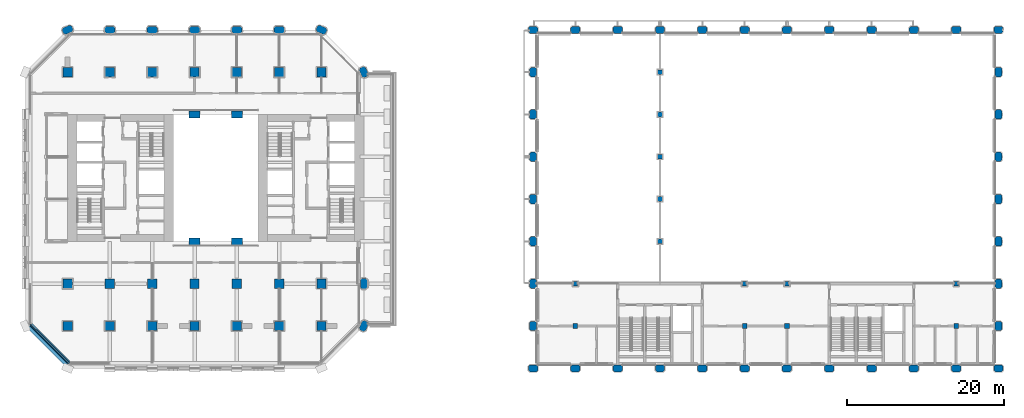
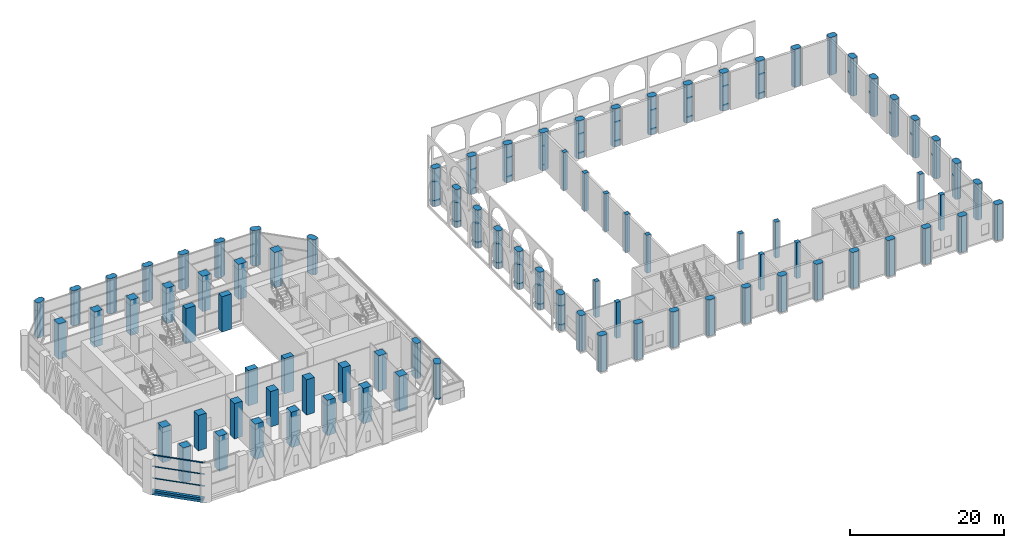
# One storey, part 1 of 34: 86 columns, 4 members, 2 beams, 1 element without a shape of its own.
"""IFC4 building model written with IfcOpenShell, lengths in metres."""

from ifc_helpers import new_model, si_unit, direction, frame, origin, origin_2d, place, context, subcontext, project, spatial, polyline, rectangle, outline, extrude, material, material_profile, profile_set, type_object, element, aggregate, save


model = new_model("IFC4")

# Units and contexts
model_context = context("Model", 3, precision=1e-05, world=origin(), true_north=direction((0.0, 1.0)))
body_context = subcontext(model_context, "Body", "Model", "MODEL_VIEW")
ifc_project = project(units=[si_unit("LENGTHUNIT", "METRE"), si_unit("AREAUNIT", "SQUARE_METRE"), si_unit("VOLUMEUNIT", "CUBIC_METRE"), si_unit("PLANEANGLEUNIT", "RADIAN"), si_unit("MASSUNIT", "GRAM", prefix="KILO")], contexts=[model_context])

# Site, building, storey
site_placement = place(None, origin())
site = spatial("IfcSite", under=ifc_project, at=site_placement, CompositionType="ELEMENT")
building_placement = place(site_placement, origin())
building = spatial("IfcBuilding", under=site, at=building_placement, Name="Tabaq Tower and Sports Hall", CompositionType="ELEMENT")
storey_placement = place(building_placement, frame((0.0, 0.0, 8.39990234375)))
storey = spatial("IfcBuildingStorey", under=building, at=storey_placement, Name="L01", CompositionType="ELEMENT", Elevation=8.39990234375)

# Columns
ifc_material_1 = material(Name="Concrete C50/60", Category="concrete")
ifc_material_profile_1 = material_profile(ifc_material_1, rectangle(XDim=0.60009765625, YDim=0.60009765625, at=origin_2d()), Name="RC 600x600")
ifc_profile_set_1 = profile_set([ifc_material_profile_1], Name="Concrete C50/60")
column_type_1 = type_object("IfcColumnType", Name="HALL COLUMN RC 600x600", PredefinedType="COLUMN", material=ifc_profile_set_1)
for number, where, z_axis, x_axis, name in (
    (1, (70.199951171875, 5.39990234375, 0.0), (0.0, 0.0, 1.0), (1.0, 0.0, 0.0), "Column 14B L01"),
    (2, (70.199951171875, 10.800048828125, 0.0), (0.0, 0.0, 1.0), (1.0, 0.0, 0.0), "Column 14C L01"),
):
    element("IfcColumn", number, at=place(storey_placement, frame(where, z_axis=z_axis, x_axis=x_axis)), inside=storey, type_object=column_type_1, Name=name, PredefinedType="COLUMN", context=body_context, shape_type="SweptSolid", body=[
        extrude(rectangle(XDim=0.60009765625, YDim=0.60009765625, at=origin_2d()), origin(), (0.0, 0.0, 1.0), 5.7001953125),
    ])
for number, where, z_axis, x_axis, name in (
    (3, (81.0, 16.199951171875, 0.0), (0.0, 0.0, 1.0), (1.0, 0.0, 0.0), "Column 16D L01"),
    (4, (81.0, 21.60009765625, 0.0), (0.0, 0.0, 1.0), (1.0, 0.0, 0.0), "Column 16E L01"),
    (5, (81.0, 27.0, 0.0), (0.0, 0.0, 1.0), (1.0, 0.0, 0.0), "Column 16F L01"),
    (6, (81.0, 32.39990234375, 0.0), (0.0, 0.0, 1.0), (1.0, 0.0, 0.0), "Column 16G L01"),
    (7, (81.0, 37.800048828125, 0.0), (0.0, 0.0, 1.0), (1.0, 0.0, 0.0), "Column 16H L01"),
):
    element("IfcColumn", number, at=place(storey_placement, frame(where, z_axis=z_axis, x_axis=x_axis)), inside=storey, type_object=column_type_1, Name=name, PredefinedType="COLUMN", context=body_context, shape_type="SweptSolid", body=[
        extrude(rectangle(XDim=0.60009765625, YDim=0.60009765625, at=origin_2d()), origin(), (0.0, 0.0, 1.0), 6.0),
    ])
for number, where, z_axis, x_axis, name in (
    (8, (91.800048828125, 5.39990234375, 0.0), (0.0, 0.0, 1.0), (1.0, 0.0, 0.0), "Column 18B L01"),
    (9, (91.800048828125, 10.800048828125, 0.0), (0.0, 0.0, 1.0), (1.0, 0.0, 0.0), "Column 18C L01"),
    (10, (97.199951171875, 5.39990234375, 0.0), (0.0, 0.0, 1.0), (1.0, 0.0, 0.0), "Column 19B L01"),
    (11, (97.199951171875, 10.800048828125, 0.0), (0.0, 0.0, 1.0), (1.0, 0.0, 0.0), "Column 19C L01"),
    (12, (118.800048828125, 5.39990234375, 0.0), (0.0, 0.0, 1.0), (1.0, 0.0, 0.0), "Column 23B L01"),
    (13, (118.800048828125, 10.800048828125, 0.0), (0.0, 0.0, 1.0), (1.0, 0.0, 0.0), "Column 23C L01"),
):
    element("IfcColumn", number, at=place(storey_placement, frame(where, z_axis=z_axis, x_axis=x_axis)), inside=storey, type_object=column_type_1, Name=name, PredefinedType="COLUMN", context=body_context, shape_type="SweptSolid", body=[
        extrude(rectangle(XDim=0.60009765625, YDim=0.60009765625, at=origin_2d()), origin(), (0.0, 0.0, 1.0), 5.7001953125),
    ])
ifc_material_2 = material(Name="Concrete C50/60", Category="concrete")
ifc_material_profile_2 = material_profile(ifc_material_2, outline(polyline([(-0.39990234375, -0.449951171875), (0.39990234375, -0.449951171875), (0.60009765625, -0.25), (0.60009765625, 0.25), (0.39990234375, 0.449951171875), (-0.39990234375, 0.449951171875), (-0.60009765625, 0.25), (-0.60009765625, -0.25), (-0.39990234375, -0.449951171875)])), Name="PIER 1200x900")
ifc_profile_set_2 = profile_set([ifc_material_profile_2], Name="Concrete C50/60")
column_type_2 = type_object("IfcColumnType", Name="HALL PIER RC 1200x900", PredefinedType="COLUMN", material=ifc_profile_set_2)
for number, where, z_axis, x_axis, name in (
    (14, (64.800048828125, 0.0, 0.0), (0.0, 0.0, 1.0), (1.0, 0.0, 0.0), "Pier 13A L01"),
    (15, (64.800048828125, 5.39990234375, 0.0), (0.0, 0.0, 1.0), (0.0, 1.0, 0.0), "Pier 13B L01"),
    (16, (64.800048828125, 10.800048828125, 0.0), (0.0, 0.0, 1.0), (0.0, 1.0, 0.0), "Pier 13C L01"),
):
    element("IfcColumn", number, at=place(storey_placement, frame(where, z_axis=z_axis, x_axis=x_axis)), inside=storey, type_object=column_type_2, Name=name, PredefinedType="COLUMN", context=body_context, shape_type="SweptSolid", body=[
        extrude(outline(polyline([(-0.39990234375, -0.449951171875), (0.39990234375, -0.449951171875), (0.60009765625, -0.25), (0.60009765625, 0.25), (0.39990234375, 0.449951171875), (-0.39990234375, 0.449951171875), (-0.60009765625, 0.25), (-0.60009765625, -0.25), (-0.39990234375, -0.449951171875)])), origin(), (0.0, 0.0, 1.0), 5.7001953125),
    ])
for number, where, z_axis, x_axis, name in (
    (17, (64.800048828125, 16.199951171875, 0.0), (0.0, 0.0, 1.0), (0.0, 1.0, 0.0), "Pier 13D L01"),
    (18, (64.800048828125, 21.60009765625, 0.0), (0.0, 0.0, 1.0), (0.0, 1.0, 0.0), "Pier 13E L01"),
    (19, (64.800048828125, 27.0, 0.0), (0.0, 0.0, 1.0), (0.0, 1.0, 0.0), "Pier 13F L01"),
    (20, (64.800048828125, 32.39990234375, 0.0), (0.0, 0.0, 1.0), (0.0, 1.0, 0.0), "Pier 13G L01"),
    (21, (64.800048828125, 37.800048828125, 0.0), (0.0, 0.0, 1.0), (0.0, 1.0, 0.0), "Pier 13H L01"),
    (22, (64.800048828125, 43.199951171875, 0.0), (0.0, 0.0, 1.0), (1.0, 0.0, 0.0), "Pier 13I L01"),
):
    element("IfcColumn", number, at=place(storey_placement, frame(where, z_axis=z_axis, x_axis=x_axis)), inside=storey, type_object=column_type_2, Name=name, PredefinedType="COLUMN", context=body_context, shape_type="SweptSolid", body=[
        extrude(outline(polyline([(-0.39990234375, -0.449951171875), (0.39990234375, -0.449951171875), (0.60009765625, -0.25), (0.60009765625, 0.25), (0.39990234375, 0.449951171875), (-0.39990234375, 0.449951171875), (-0.60009765625, 0.25), (-0.60009765625, -0.25), (-0.39990234375, -0.449951171875)])), origin(), (0.0, 0.0, 1.0), 6.0),
    ])
column_1_placement = place(storey_placement, frame((70.199951171875, 0.0, 0.0), z_axis=(0.0, 0.0, 1.0), x_axis=(1.0, 0.0, 0.0)))
element("IfcColumn", 23, at=column_1_placement, inside=storey, type_object=column_type_2, Name="Pier 14A L01", PredefinedType="COLUMN", context=body_context, shape_type="SweptSolid", body=[
    extrude(outline(polyline([(-0.39990234375, -0.449951171875), (0.39990234375, -0.449951171875), (0.60009765625, -0.25), (0.60009765625, 0.25), (0.39990234375, 0.449951171875), (-0.39990234375, 0.449951171875), (-0.60009765625, 0.25), (-0.60009765625, -0.25), (-0.39990234375, -0.449951171875)])), origin(), (0.0, 0.0, 1.0), 5.7001953125),
])
column_2_placement = place(storey_placement, frame((70.199951171875, 43.199951171875, 0.0), z_axis=(0.0, 0.0, 1.0), x_axis=(1.0, 0.0, 0.0)))
element("IfcColumn", 24, at=column_2_placement, inside=storey, type_object=column_type_2, Name="Pier 14I L01", PredefinedType="COLUMN", context=body_context, shape_type="SweptSolid", body=[
    extrude(outline(polyline([(-0.39990234375, -0.449951171875), (0.39990234375, -0.449951171875), (0.60009765625, -0.25), (0.60009765625, 0.25), (0.39990234375, 0.449951171875), (-0.39990234375, 0.449951171875), (-0.60009765625, 0.25), (-0.60009765625, -0.25), (-0.39990234375, -0.449951171875)])), origin(), (0.0, 0.0, 1.0), 6.0),
])
column_3_placement = place(storey_placement, frame((75.60009765625, 0.0, 0.0), z_axis=(0.0, 0.0, 1.0), x_axis=(1.0, 0.0, 0.0)))
element("IfcColumn", 25, at=column_3_placement, inside=storey, type_object=column_type_2, Name="Pier 15A L01", PredefinedType="COLUMN", context=body_context, shape_type="SweptSolid", body=[
    extrude(outline(polyline([(-0.39990234375, -0.449951171875), (0.39990234375, -0.449951171875), (0.60009765625, -0.25), (0.60009765625, 0.25), (0.39990234375, 0.449951171875), (-0.39990234375, 0.449951171875), (-0.60009765625, 0.25), (-0.60009765625, -0.25), (-0.39990234375, -0.449951171875)])), origin(), (0.0, 0.0, 1.0), 5.7001953125),
])
column_4_placement = place(storey_placement, frame((75.60009765625, 43.199951171875, 0.0), z_axis=(0.0, 0.0, 1.0), x_axis=(1.0, 0.0, 0.0)))
element("IfcColumn", 26, at=column_4_placement, inside=storey, type_object=column_type_2, Name="Pier 15I L01", PredefinedType="COLUMN", context=body_context, shape_type="SweptSolid", body=[
    extrude(outline(polyline([(-0.39990234375, -0.449951171875), (0.39990234375, -0.449951171875), (0.60009765625, -0.25), (0.60009765625, 0.25), (0.39990234375, 0.449951171875), (-0.39990234375, 0.449951171875), (-0.60009765625, 0.25), (-0.60009765625, -0.25), (-0.39990234375, -0.449951171875)])), origin(), (0.0, 0.0, 1.0), 6.0),
])
column_5_placement = place(storey_placement, frame((81.0, 0.0, 0.0), z_axis=(0.0, 0.0, 1.0), x_axis=(1.0, 0.0, 0.0)))
element("IfcColumn", 27, at=column_5_placement, inside=storey, type_object=column_type_2, Name="Pier 16A L01", PredefinedType="COLUMN", context=body_context, shape_type="SweptSolid", body=[
    extrude(outline(polyline([(-0.39990234375, -0.449951171875), (0.39990234375, -0.449951171875), (0.60009765625, -0.25), (0.60009765625, 0.25), (0.39990234375, 0.449951171875), (-0.39990234375, 0.449951171875), (-0.60009765625, 0.25), (-0.60009765625, -0.25), (-0.39990234375, -0.449951171875)])), origin(), (0.0, 0.0, 1.0), 5.7001953125),
])
column_6_placement = place(storey_placement, frame((81.0, 43.199951171875, 0.0), z_axis=(0.0, 0.0, 1.0), x_axis=(1.0, 0.0, 0.0)))
element("IfcColumn", 28, at=column_6_placement, inside=storey, type_object=column_type_2, Name="Pier 16I L01", PredefinedType="COLUMN", context=body_context, shape_type="SweptSolid", body=[
    extrude(outline(polyline([(-0.39990234375, -0.449951171875), (0.39990234375, -0.449951171875), (0.60009765625, -0.25), (0.60009765625, 0.25), (0.39990234375, 0.449951171875), (-0.39990234375, 0.449951171875), (-0.60009765625, 0.25), (-0.60009765625, -0.25), (-0.39990234375, -0.449951171875)])), origin(), (0.0, 0.0, 1.0), 6.0),
])
column_7_placement = place(storey_placement, frame((86.39990234375, 0.0, 0.0), z_axis=(0.0, 0.0, 1.0), x_axis=(1.0, 0.0, 0.0)))
element("IfcColumn", 29, at=column_7_placement, inside=storey, type_object=column_type_2, Name="Pier 17A L01", PredefinedType="COLUMN", context=body_context, shape_type="SweptSolid", body=[
    extrude(outline(polyline([(-0.39990234375, -0.449951171875), (0.39990234375, -0.449951171875), (0.60009765625, -0.25), (0.60009765625, 0.25), (0.39990234375, 0.449951171875), (-0.39990234375, 0.449951171875), (-0.60009765625, 0.25), (-0.60009765625, -0.25), (-0.39990234375, -0.449951171875)])), origin(), (0.0, 0.0, 1.0), 5.7001953125),
])
column_8_placement = place(storey_placement, frame((86.39990234375, 43.199951171875, 0.0), z_axis=(0.0, 0.0, 1.0), x_axis=(1.0, 0.0, 0.0)))
element("IfcColumn", 30, at=column_8_placement, inside=storey, type_object=column_type_2, Name="Pier 17I L01", PredefinedType="COLUMN", context=body_context, shape_type="SweptSolid", body=[
    extrude(outline(polyline([(-0.39990234375, -0.449951171875), (0.39990234375, -0.449951171875), (0.60009765625, -0.25), (0.60009765625, 0.25), (0.39990234375, 0.449951171875), (-0.39990234375, 0.449951171875), (-0.60009765625, 0.25), (-0.60009765625, -0.25), (-0.39990234375, -0.449951171875)])), origin(), (0.0, 0.0, 1.0), 6.0),
])
column_9_placement = place(storey_placement, frame((91.800048828125, 0.0, 0.0), z_axis=(0.0, 0.0, 1.0), x_axis=(1.0, 0.0, 0.0)))
element("IfcColumn", 31, at=column_9_placement, inside=storey, type_object=column_type_2, Name="Pier 18A L01", PredefinedType="COLUMN", context=body_context, shape_type="SweptSolid", body=[
    extrude(outline(polyline([(-0.39990234375, -0.449951171875), (0.39990234375, -0.449951171875), (0.60009765625, -0.25), (0.60009765625, 0.25), (0.39990234375, 0.449951171875), (-0.39990234375, 0.449951171875), (-0.60009765625, 0.25), (-0.60009765625, -0.25), (-0.39990234375, -0.449951171875)])), origin(), (0.0, 0.0, 1.0), 5.7001953125),
])
column_10_placement = place(storey_placement, frame((91.800048828125, 43.199951171875, 0.0), z_axis=(0.0, 0.0, 1.0), x_axis=(1.0, 0.0, 0.0)))
element("IfcColumn", 32, at=column_10_placement, inside=storey, type_object=column_type_2, Name="Pier 18I L01", PredefinedType="COLUMN", context=body_context, shape_type="SweptSolid", body=[
    extrude(outline(polyline([(-0.39990234375, -0.449951171875), (0.39990234375, -0.449951171875), (0.60009765625, -0.25), (0.60009765625, 0.25), (0.39990234375, 0.449951171875), (-0.39990234375, 0.449951171875), (-0.60009765625, 0.25), (-0.60009765625, -0.25), (-0.39990234375, -0.449951171875)])), origin(), (0.0, 0.0, 1.0), 6.0),
])
column_11_placement = place(storey_placement, frame((97.199951171875, 0.0, 0.0), z_axis=(0.0, 0.0, 1.0), x_axis=(1.0, 0.0, 0.0)))
element("IfcColumn", 33, at=column_11_placement, inside=storey, type_object=column_type_2, Name="Pier 19A L01", PredefinedType="COLUMN", context=body_context, shape_type="SweptSolid", body=[
    extrude(outline(polyline([(-0.39990234375, -0.449951171875), (0.39990234375, -0.449951171875), (0.60009765625, -0.25), (0.60009765625, 0.25), (0.39990234375, 0.449951171875), (-0.39990234375, 0.449951171875), (-0.60009765625, 0.25), (-0.60009765625, -0.25), (-0.39990234375, -0.449951171875)])), origin(), (0.0, 0.0, 1.0), 5.7001953125),
])
column_12_placement = place(storey_placement, frame((97.199951171875, 43.199951171875, 0.0), z_axis=(0.0, 0.0, 1.0), x_axis=(1.0, 0.0, 0.0)))
element("IfcColumn", 34, at=column_12_placement, inside=storey, type_object=column_type_2, Name="Pier 19I L01", PredefinedType="COLUMN", context=body_context, shape_type="SweptSolid", body=[
    extrude(outline(polyline([(-0.39990234375, -0.449951171875), (0.39990234375, -0.449951171875), (0.60009765625, -0.25), (0.60009765625, 0.25), (0.39990234375, 0.449951171875), (-0.39990234375, 0.449951171875), (-0.60009765625, 0.25), (-0.60009765625, -0.25), (-0.39990234375, -0.449951171875)])), origin(), (0.0, 0.0, 1.0), 6.0),
])
column_13_placement = place(storey_placement, frame((102.60009765625, 0.0, 0.0), z_axis=(0.0, 0.0, 1.0), x_axis=(1.0, 0.0, 0.0)))
element("IfcColumn", 35, at=column_13_placement, inside=storey, type_object=column_type_2, Name="Pier 20A L01", PredefinedType="COLUMN", context=body_context, shape_type="SweptSolid", body=[
    extrude(outline(polyline([(-0.39990234375, -0.449951171875), (0.39990234375, -0.449951171875), (0.60009765625, -0.25), (0.60009765625, 0.25), (0.39990234375, 0.449951171875), (-0.39990234375, 0.449951171875), (-0.60009765625, 0.25), (-0.60009765625, -0.25), (-0.39990234375, -0.449951171875)])), origin(), (0.0, 0.0, 1.0), 5.7001953125),
])
column_14_placement = place(storey_placement, frame((102.60009765625, 43.199951171875, 0.0), z_axis=(0.0, 0.0, 1.0), x_axis=(1.0, 0.0, 0.0)))
element("IfcColumn", 36, at=column_14_placement, inside=storey, type_object=column_type_2, Name="Pier 20I L01", PredefinedType="COLUMN", context=body_context, shape_type="SweptSolid", body=[
    extrude(outline(polyline([(-0.39990234375, -0.449951171875), (0.39990234375, -0.449951171875), (0.60009765625, -0.25), (0.60009765625, 0.25), (0.39990234375, 0.449951171875), (-0.39990234375, 0.449951171875), (-0.60009765625, 0.25), (-0.60009765625, -0.25), (-0.39990234375, -0.449951171875)])), origin(), (0.0, 0.0, 1.0), 6.0),
])
column_15_placement = place(storey_placement, frame((108.0, 0.0, 0.0), z_axis=(0.0, 0.0, 1.0), x_axis=(1.0, 0.0, 0.0)))
element("IfcColumn", 37, at=column_15_placement, inside=storey, type_object=column_type_2, Name="Pier 21A L01", PredefinedType="COLUMN", context=body_context, shape_type="SweptSolid", body=[
    extrude(outline(polyline([(-0.39990234375, -0.449951171875), (0.39990234375, -0.449951171875), (0.60009765625, -0.25), (0.60009765625, 0.25), (0.39990234375, 0.449951171875), (-0.39990234375, 0.449951171875), (-0.60009765625, 0.25), (-0.60009765625, -0.25), (-0.39990234375, -0.449951171875)])), origin(), (0.0, 0.0, 1.0), 5.7001953125),
])
column_16_placement = place(storey_placement, frame((108.0, 43.199951171875, 0.0), z_axis=(0.0, 0.0, 1.0), x_axis=(1.0, 0.0, 0.0)))
element("IfcColumn", 38, at=column_16_placement, inside=storey, type_object=column_type_2, Name="Pier 21I L01", PredefinedType="COLUMN", context=body_context, shape_type="SweptSolid", body=[
    extrude(outline(polyline([(-0.39990234375, -0.449951171875), (0.39990234375, -0.449951171875), (0.60009765625, -0.25), (0.60009765625, 0.25), (0.39990234375, 0.449951171875), (-0.39990234375, 0.449951171875), (-0.60009765625, 0.25), (-0.60009765625, -0.25), (-0.39990234375, -0.449951171875)])), origin(), (0.0, 0.0, 1.0), 6.0),
])
column_17_placement = place(storey_placement, frame((113.39990234375, 0.0, 0.0), z_axis=(0.0, 0.0, 1.0), x_axis=(1.0, 0.0, 0.0)))
element("IfcColumn", 39, at=column_17_placement, inside=storey, type_object=column_type_2, Name="Pier 22A L01", PredefinedType="COLUMN", context=body_context, shape_type="SweptSolid", body=[
    extrude(outline(polyline([(-0.39990234375, -0.449951171875), (0.39990234375, -0.449951171875), (0.60009765625, -0.25), (0.60009765625, 0.25), (0.39990234375, 0.449951171875), (-0.39990234375, 0.449951171875), (-0.60009765625, 0.25), (-0.60009765625, -0.25), (-0.39990234375, -0.449951171875)])), origin(), (0.0, 0.0, 1.0), 5.7001953125),
])
column_18_placement = place(storey_placement, frame((113.39990234375, 43.199951171875, 0.0), z_axis=(0.0, 0.0, 1.0), x_axis=(1.0, 0.0, 0.0)))
element("IfcColumn", 40, at=column_18_placement, inside=storey, type_object=column_type_2, Name="Pier 22I L01", PredefinedType="COLUMN", context=body_context, shape_type="SweptSolid", body=[
    extrude(outline(polyline([(-0.39990234375, -0.449951171875), (0.39990234375, -0.449951171875), (0.60009765625, -0.25), (0.60009765625, 0.25), (0.39990234375, 0.449951171875), (-0.39990234375, 0.449951171875), (-0.60009765625, 0.25), (-0.60009765625, -0.25), (-0.39990234375, -0.449951171875)])), origin(), (0.0, 0.0, 1.0), 6.0),
])
column_19_placement = place(storey_placement, frame((118.800048828125, 0.0, 0.0), z_axis=(0.0, 0.0, 1.0), x_axis=(1.0, 0.0, 0.0)))
element("IfcColumn", 41, at=column_19_placement, inside=storey, type_object=column_type_2, Name="Pier 23A L01", PredefinedType="COLUMN", context=body_context, shape_type="SweptSolid", body=[
    extrude(outline(polyline([(-0.39990234375, -0.449951171875), (0.39990234375, -0.449951171875), (0.60009765625, -0.25), (0.60009765625, 0.25), (0.39990234375, 0.449951171875), (-0.39990234375, 0.449951171875), (-0.60009765625, 0.25), (-0.60009765625, -0.25), (-0.39990234375, -0.449951171875)])), origin(), (0.0, 0.0, 1.0), 5.7001953125),
])
column_20_placement = place(storey_placement, frame((118.800048828125, 43.199951171875, 0.0), z_axis=(0.0, 0.0, 1.0), x_axis=(1.0, 0.0, 0.0)))
element("IfcColumn", 42, at=column_20_placement, inside=storey, type_object=column_type_2, Name="Pier 23I L01", PredefinedType="COLUMN", context=body_context, shape_type="SweptSolid", body=[
    extrude(outline(polyline([(-0.39990234375, -0.449951171875), (0.39990234375, -0.449951171875), (0.60009765625, -0.25), (0.60009765625, 0.25), (0.39990234375, 0.449951171875), (-0.39990234375, 0.449951171875), (-0.60009765625, 0.25), (-0.60009765625, -0.25), (-0.39990234375, -0.449951171875)])), origin(), (0.0, 0.0, 1.0), 6.0),
])
for number, where, z_axis, x_axis, name in (
    (43, (124.199951171875, 0.0, 0.0), (0.0, 0.0, 1.0), (1.0, 0.0, 0.0), "Pier 24A L01"),
    (44, (124.199951171875, 5.39990234375, 0.0), (0.0, 0.0, 1.0), (0.0, 1.0, 0.0), "Pier 24B L01"),
    (45, (124.199951171875, 10.800048828125, 0.0), (0.0, 0.0, 1.0), (0.0, 1.0, 0.0), "Pier 24C L01"),
):
    element("IfcColumn", number, at=place(storey_placement, frame(where, z_axis=z_axis, x_axis=x_axis)), inside=storey, type_object=column_type_2, Name=name, PredefinedType="COLUMN", context=body_context, shape_type="SweptSolid", body=[
        extrude(outline(polyline([(-0.39990234375, -0.449951171875), (0.39990234375, -0.449951171875), (0.60009765625, -0.25), (0.60009765625, 0.25), (0.39990234375, 0.449951171875), (-0.39990234375, 0.449951171875), (-0.60009765625, 0.25), (-0.60009765625, -0.25), (-0.39990234375, -0.449951171875)])), origin(), (0.0, 0.0, 1.0), 5.7001953125),
    ])
for number, where, z_axis, x_axis, name in (
    (46, (124.199951171875, 16.199951171875, 0.0), (0.0, 0.0, 1.0), (0.0, 1.0, 0.0), "Pier 24D L01"),
    (47, (124.199951171875, 21.60009765625, 0.0), (0.0, 0.0, 1.0), (0.0, 1.0, 0.0), "Pier 24E L01"),
    (48, (124.199951171875, 27.0, 0.0), (0.0, 0.0, 1.0), (0.0, 1.0, 0.0), "Pier 24F L01"),
    (49, (124.199951171875, 32.39990234375, 0.0), (0.0, 0.0, 1.0), (0.0, 1.0, 0.0), "Pier 24G L01"),
    (50, (124.199951171875, 37.800048828125, 0.0), (0.0, 0.0, 1.0), (0.0, 1.0, 0.0), "Pier 24H L01"),
    (51, (124.199951171875, 43.199951171875, 0.0), (0.0, 0.0, 1.0), (1.0, 0.0, 0.0), "Pier 24I L01"),
):
    element("IfcColumn", number, at=place(storey_placement, frame(where, z_axis=z_axis, x_axis=x_axis)), inside=storey, type_object=column_type_2, Name=name, PredefinedType="COLUMN", context=body_context, shape_type="SweptSolid", body=[
        extrude(outline(polyline([(-0.39990234375, -0.449951171875), (0.39990234375, -0.449951171875), (0.60009765625, -0.25), (0.60009765625, 0.25), (0.39990234375, 0.449951171875), (-0.39990234375, 0.449951171875), (-0.60009765625, 0.25), (-0.60009765625, -0.25), (-0.39990234375, -0.449951171875)])), origin(), (0.0, 0.0, 1.0), 6.0),
    ])
ifc_material_3 = material(Name="Concrete C60/75", Category="concrete")
ifc_material_profile_3 = material_profile(ifc_material_3, rectangle(XDim=1.39990234375, YDim=0.89990234375, at=origin_2d()), Name="ATRIUM COLUMN 1400x900")
ifc_profile_set_3 = profile_set([ifc_material_profile_3], Name="Concrete C60/75")
column_type_3 = type_object("IfcColumnType", Name="RC COLUMN ATRIUM COLUMN 1400x900 C60/75", PredefinedType="COLUMN", material=ifc_profile_set_3)
for number, where, z_axis, x_axis, name in (
    (52, (21.60009765625, 16.199951171875, 0.0), (0.0, 0.0, 1.0), (1.0, 0.0, 0.0), "Atrium Column 5/D L01"),
    (53, (27.0, 16.199951171875, 0.0), (0.0, 0.0, 1.0), (1.0, 0.0, 0.0), "Atrium Column 6/D L01"),
    (54, (21.60009765625, 32.39990234375, 0.0), (0.0, 0.0, 1.0), (1.0, 0.0, 0.0), "Atrium Column 5/G L01"),
    (55, (27.0, 32.39990234375, 0.0), (0.0, 0.0, 1.0), (1.0, 0.0, 0.0), "Atrium Column 6/G L01"),
):
    element("IfcColumn", number, at=place(storey_placement, frame(where, z_axis=z_axis, x_axis=x_axis)), inside=storey, type_object=column_type_3, Name=name, PredefinedType="COLUMN", context=body_context, shape_type="SweptSolid", body=[
        extrude(rectangle(XDim=1.39990234375, YDim=0.89990234375, at=origin_2d()), origin(), (0.0, 0.0, 1.0), 5.60009765625),
    ])
ifc_material_4 = material(Name="Concrete C60/75", Category="concrete")
ifc_material_profile_4 = material_profile(ifc_material_4, rectangle(XDim=1.199951171875, YDim=1.199951171875, at=origin_2d()), Name="COLUMN 1200x1200")
ifc_profile_set_4 = profile_set([ifc_material_profile_4], Name="Concrete C60/75")
column_type_4 = type_object("IfcColumnType", Name="RC COLUMN COLUMN 1200x1200 C60/75", PredefinedType="COLUMN", material=ifc_profile_set_4)
for number, where, z_axis, x_axis, name in (
    (56, (5.39990234375, 5.39990234375, 0.0), (0.0, 0.0, 1.0), (1.0, 0.0, 0.0), "Column 2/B L01"),
    (57, (10.800048828125, 5.39990234375, 0.0), (0.0, 0.0, 1.0), (1.0, 0.0, 0.0), "Column 3/B L01"),
    (58, (16.199951171875, 5.39990234375, 0.0), (0.0, 0.0, 1.0), (1.0, 0.0, 0.0), "Column 4/B L01"),
    (59, (21.60009765625, 5.39990234375, 0.0), (0.0, 0.0, 1.0), (1.0, 0.0, 0.0), "Column 5/B L01"),
    (60, (27.0, 5.39990234375, 0.0), (0.0, 0.0, 1.0), (1.0, 0.0, 0.0), "Column 6/B L01"),
    (61, (32.39990234375, 5.39990234375, 0.0), (0.0, 0.0, 1.0), (1.0, 0.0, 0.0), "Column 7/B L01"),
    (62, (37.800048828125, 5.39990234375, 0.0), (0.0, 0.0, 1.0), (1.0, 0.0, 0.0), "Column 8/B L01"),
    (63, (5.39990234375, 10.800048828125, 0.0), (0.0, 0.0, 1.0), (1.0, 0.0, 0.0), "Column 2/C L01"),
    (64, (10.800048828125, 10.800048828125, 0.0), (0.0, 0.0, 1.0), (1.0, 0.0, 0.0), "Column 3/C L01"),
    (65, (16.199951171875, 10.800048828125, 0.0), (0.0, 0.0, 1.0), (1.0, 0.0, 0.0), "Column 4/C L01"),
    (66, (21.60009765625, 10.800048828125, 0.0), (0.0, 0.0, 1.0), (1.0, 0.0, 0.0), "Column 5/C L01"),
    (67, (27.0, 10.800048828125, 0.0), (0.0, 0.0, 1.0), (1.0, 0.0, 0.0), "Column 6/C L01"),
    (68, (32.39990234375, 10.800048828125, 0.0), (0.0, 0.0, 1.0), (1.0, 0.0, 0.0), "Column 7/C L01"),
    (69, (37.800048828125, 10.800048828125, 0.0), (0.0, 0.0, 1.0), (1.0, 0.0, 0.0), "Column 8/C L01"),
    (70, (5.39990234375, 37.800048828125, 0.0), (0.0, 0.0, 1.0), (1.0, 0.0, 0.0), "Column 2/H L01"),
    (71, (10.800048828125, 37.800048828125, 0.0), (0.0, 0.0, 1.0), (1.0, 0.0, 0.0), "Column 3/H L01"),
    (72, (16.199951171875, 37.800048828125, 0.0), (0.0, 0.0, 1.0), (1.0, 0.0, 0.0), "Column 4/H L01"),
    (73, (21.60009765625, 37.800048828125, 0.0), (0.0, 0.0, 1.0), (1.0, 0.0, 0.0), "Column 5/H L01"),
    (74, (27.0, 37.800048828125, 0.0), (0.0, 0.0, 1.0), (1.0, 0.0, 0.0), "Column 6/H L01"),
    (75, (32.39990234375, 37.800048828125, 0.0), (0.0, 0.0, 1.0), (1.0, 0.0, 0.0), "Column 7/H L01"),
    (76, (37.800048828125, 37.800048828125, 0.0), (0.0, 0.0, 1.0), (1.0, 0.0, 0.0), "Column 8/H L01"),
):
    element("IfcColumn", number, at=place(storey_placement, frame(where, z_axis=z_axis, x_axis=x_axis)), inside=storey, type_object=column_type_4, Name=name, PredefinedType="COLUMN", context=body_context, shape_type="SweptSolid", body=[
        extrude(rectangle(XDim=1.199951171875, YDim=1.199951171875, at=origin_2d()), origin(), (0.0, 0.0, 1.0), 5.60009765625),
    ])
ifc_material_5 = material(Name="Concrete C60/75", Category="concrete")
ifc_material_profile_5 = material_profile(ifc_material_5, outline(polyline([(-0.449951171875, -0.449951171875), (0.449951171875, -0.449951171875), (0.675048828125, -0.22509765625), (0.675048828125, 0.22509765625), (0.449951171875, 0.449951171875), (-0.449951171875, 0.449951171875), (-0.675048828125, 0.22509765625), (-0.675048828125, -0.22509765625), (-0.449951171875, -0.449951171875)])), Name="PIER 1350x900")
ifc_profile_set_5 = profile_set([ifc_material_profile_5], Name="Concrete C60/75")
column_type_5 = type_object("IfcColumnType", Name="RC COLUMN PIER 1350x900 C60/75", PredefinedType="COLUMN", material=ifc_profile_set_5)
for number, where, z_axis, x_axis, name in (
    (77, (43.199951171875, 5.39990234375, 0.0), (0.0, 0.0, 1.0), (0.382683432365, 0.923879532511, 0.0), "Pier 9/B L01"),
    (78, (43.199951171875, 10.800048828125, 0.0), (0.0, 0.0, 1.0), (0.0, 1.0, 0.0), "Pier 9/C L01"),
    (79, (43.199951171875, 37.800048828125, 0.0), (0.0, 0.0, 1.0), (-0.382683432365, 0.923879532511, 0.0), "Pier 9/H L01"),
    (80, (5.39990234375, 43.199951171875, 0.0), (0.0, 0.0, 1.0), (0.923879532511, 0.382683432365, 0.0), "Pier 2/I L01"),
    (81, (10.800048828125, 43.199951171875, 0.0), (0.0, 0.0, 1.0), (1.0, 0.0, 0.0), "Pier 3/I L01"),
    (82, (16.199951171875, 43.199951171875, 0.0), (0.0, 0.0, 1.0), (1.0, 0.0, 0.0), "Pier 4/I L01"),
    (83, (21.60009765625, 43.199951171875, 0.0), (0.0, 0.0, 1.0), (1.0, 0.0, 0.0), "Pier 5/I L01"),
    (84, (27.0, 43.199951171875, 0.0), (0.0, 0.0, 1.0), (1.0, 0.0, 0.0), "Pier 6/I L01"),
    (85, (32.39990234375, 43.199951171875, 0.0), (0.0, 0.0, 1.0), (1.0, 0.0, 0.0), "Pier 7/I L01"),
    (86, (37.800048828125, 43.199951171875, 0.0), (0.0, 0.0, 1.0), (-0.923879532511, 0.382683432365, 0.0), "Pier 8/I L01"),
):
    element("IfcColumn", number, at=place(storey_placement, frame(where, z_axis=z_axis, x_axis=x_axis)), inside=storey, type_object=column_type_5, Name=name, PredefinedType="COLUMN", context=body_context, shape_type="SweptSolid", body=[
        extrude(outline(polyline([(-0.449951171875, -0.449951171875), (0.449951171875, -0.449951171875), (0.675048828125, -0.22509765625), (0.675048828125, 0.22509765625), (0.449951171875, 0.449951171875), (-0.449951171875, 0.449951171875), (-0.675048828125, 0.22509765625), (-0.675048828125, -0.22509765625), (-0.449951171875, -0.449951171875)])), origin(), (0.0, 0.0, 1.0), 5.60009765625),
    ])

# Curtain wall, members
ifc_material_6 = material(Name="Aluminium alloy 6063-T6 framed glazing", Category="aluminium")
curtain_wall_type = type_object("IfcCurtainWallType", Name="CW7 curtain wall", PredefinedType="USERDEFINED", material=ifc_material_6)
curtain_wall_placement = place(storey_placement, origin())
curtain_wall = element("IfcCurtainWall", 87, at=curtain_wall_placement, inside=storey, type_object=curtain_wall_type, Name="Podium Wall L01 SW", ObjectType="PODIUM WALL", PredefinedType="USERDEFINED")
ifc_material_7 = material(Name="Aluminium alloy 6063-T6", Category="aluminium")
ifc_material_profile_6 = material_profile(ifc_material_7, rectangle(XDim=0.139892578125, YDim=0.06494140625, at=origin_2d()), Name="TRANSOM 140x65")
ifc_profile_set_6 = profile_set([ifc_material_profile_6], Name="Aluminium alloy 6063-T6")
member_type = type_object("IfcMemberType", Name="CW7 transom 140x65", PredefinedType="USERDEFINED", material=ifc_profile_set_6)
member_1_placement = place(storey_placement, frame((0.64599609375, 5.6025390625, 0.070068359375), z_axis=(0.707106781187, -0.707106781187, 0.0), x_axis=(0.707106781187, 0.707106781187, 0.0)))
member_1 = element("IfcMember", 88, at=member_1_placement, type_object=member_type, Name="CW7 transom 1.1", ObjectType="TRANSOM", PredefinedType="USERDEFINED", context=body_context, shape_type="SweptSolid", body=[
    extrude(rectangle(XDim=0.139892578125, YDim=0.06494140625, at=origin_2d()), origin(), (0.0, 0.0, 1.0), 7.009521484375),
])
member_2_placement = place(storey_placement, frame((0.64599609375, 5.6025390625, 1.86669921875), z_axis=(0.707106781187, -0.707106781187, 0.0), x_axis=(0.707106781187, 0.707106781187, 0.0)))
member_2 = element("IfcMember", 89, at=member_2_placement, type_object=member_type, Name="CW7 transom 1.2", ObjectType="TRANSOM", PredefinedType="USERDEFINED", context=body_context, shape_type="SweptSolid", body=[
    extrude(rectangle(XDim=0.139892578125, YDim=0.06494140625, at=origin_2d()), origin(), (0.0, 0.0, 1.0), 7.009521484375),
])
member_3_placement = place(storey_placement, frame((0.64599609375, 5.6025390625, 3.7333984375), z_axis=(0.707106781187, -0.707106781187, 0.0), x_axis=(0.707106781187, 0.707106781187, 0.0)))
member_3 = element("IfcMember", 90, at=member_3_placement, type_object=member_type, Name="CW7 transom 1.3", ObjectType="TRANSOM", PredefinedType="USERDEFINED", context=body_context, shape_type="SweptSolid", body=[
    extrude(rectangle(XDim=0.139892578125, YDim=0.06494140625, at=origin_2d()), origin(), (0.0, 0.0, 1.0), 7.009521484375),
])
member_4_placement = place(storey_placement, frame((0.64599609375, 5.6025390625, 5.530029296875), z_axis=(0.707106781187, -0.707106781187, 0.0), x_axis=(0.707106781187, 0.707106781187, 0.0)))
member_4 = element("IfcMember", 91, at=member_4_placement, type_object=member_type, Name="CW7 transom 1.4", ObjectType="TRANSOM", PredefinedType="USERDEFINED", context=body_context, shape_type="SweptSolid", body=[
    extrude(rectangle(XDim=0.139892578125, YDim=0.06494140625, at=origin_2d()), origin(), (0.0, 0.0, 1.0), 7.009521484375),
])
aggregate(curtain_wall, [member_1, member_2, member_3, member_4])

# Beams
ifc_material_8 = material(Name="Concrete C40/50", Category="concrete")
ifc_material_profile_7 = material_profile(ifc_material_8, rectangle(XDim=0.85009765625, YDim=0.39990234375, at=origin_2d()), Name="EB 850x400")
ifc_profile_set_7 = profile_set([ifc_material_profile_7], Name="Concrete C40/50")
beam_type_1 = type_object("IfcBeamType", Name="PT EDGE BEAM EB 850x400 C40/50", PredefinedType="SPANDREL", material=ifc_profile_set_7)
beam_1_placement = place(storey_placement, frame((0.584716796875, 5.416259765625, -0.199951171875), z_axis=(0.707106781187, -0.707106781187, 0.0), x_axis=(0.707106781187, 0.707106781187, 0.0)))
element("IfcBeam", 92, at=beam_1_placement, inside=storey, type_object=beam_type_1, Name="Edge Beam L01 5", PredefinedType="SPANDREL", context=body_context, shape_type="SweptSolid", body=[
    extrude(rectangle(XDim=0.85009765625, YDim=0.39990234375, at=origin_2d()), origin(), (0.0, 0.0, 1.0), 6.832763671875),
])
ifc_material_9 = material(Name="Concrete C40/50", Category="concrete")
ifc_material_profile_8 = material_profile(ifc_material_9, rectangle(XDim=0.39990234375, YDim=0.300048828125, at=origin_2d()), Name="EU 400x300")
ifc_profile_set_8 = profile_set([ifc_material_profile_8], Name="Concrete C40/50")
beam_type_2 = type_object("IfcBeamType", Name="PT EDGE UPSTAND EU 400x300 C40/50", PredefinedType="BEAM", material=ifc_profile_set_8)
beam_2_placement = place(storey_placement, frame((0.42578125, 5.257080078125, 0.150146484375), z_axis=(0.707106781187, -0.707106781187, 0.0), x_axis=(0.707106781187, 0.707106781187, 0.0)))
element("IfcBeam", 93, at=beam_2_placement, inside=storey, type_object=beam_type_2, Name="Edge Upstand L01 5", PredefinedType="BEAM", context=body_context, shape_type="SweptSolid", body=[
    extrude(rectangle(XDim=0.39990234375, YDim=0.300048828125, at=origin_2d()), origin(), (0.0, 0.0, 1.0), 6.83251953125),
])

save(model, "model.ifc")
